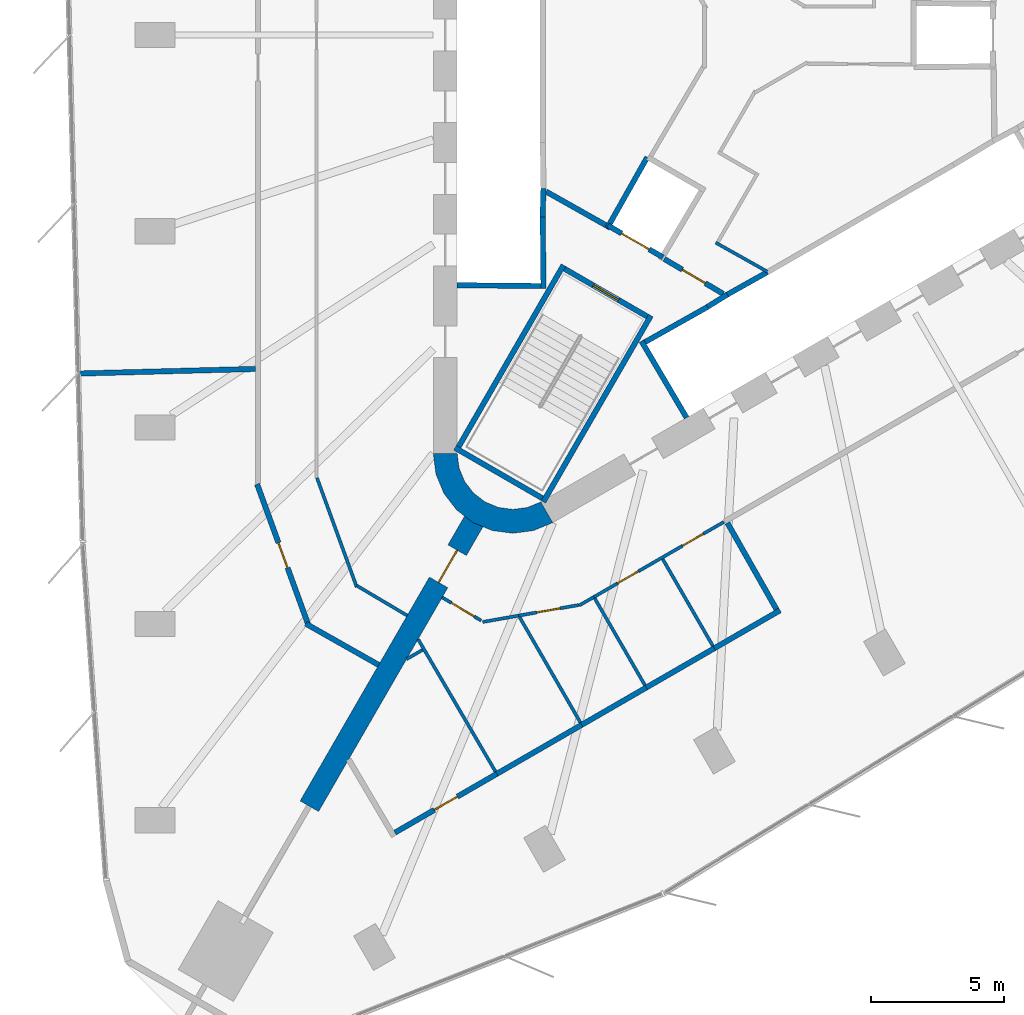
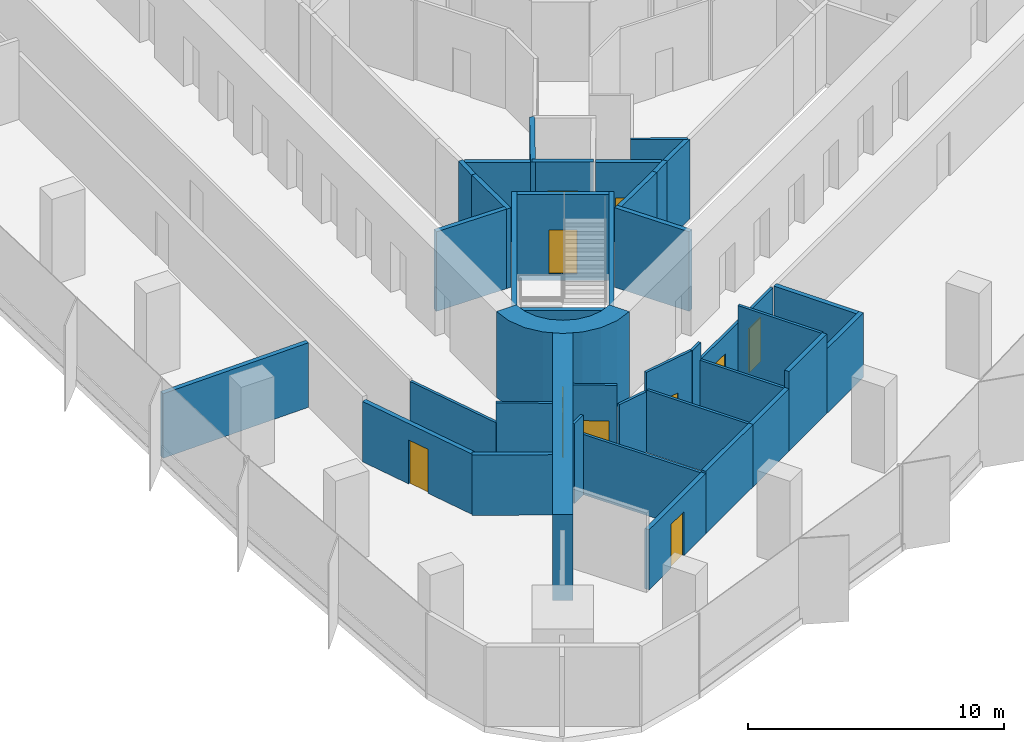
# One storey, part 8 of 14: 39 walls, 10 doors, 10 openings.
"""IFC4 building model written with IfcOpenShell, lengths in metres."""

from ifc_helpers import new_model, si_unit, direction, frame, frame_2d, origin, place, context, subcontext, project, spatial, polyline, rectangle, outline, extrude, material, layer, layer_set, type_object, element, fill, save


model = new_model("IFC4")

# Units and contexts
model_context = context("Model", 3, precision=1e-05, world=origin(), true_north=direction((0.0, 1.0)))
body_context = subcontext(model_context, "Body", "Model", "MODEL_VIEW")
ifc_project = project(units=[si_unit("LENGTHUNIT", "METRE"), si_unit("AREAUNIT", "SQUARE_METRE"), si_unit("VOLUMEUNIT", "CUBIC_METRE"), si_unit("PLANEANGLEUNIT", "RADIAN"), si_unit("MASSUNIT", "GRAM", prefix="KILO")], contexts=[model_context])

# Site, building, storey
site_placement = place(None, origin())
site = spatial("IfcSite", under=ifc_project, at=site_placement, CompositionType="ELEMENT")
building_placement = place(site_placement, origin())
building = spatial("IfcBuilding", under=site, at=building_placement, Name="Tanit Gate Tower", CompositionType="ELEMENT")
storey_placement = place(building_placement, frame((0.0, 0.0, 143.89990234375)))
storey = spatial("IfcBuildingStorey", under=building, at=storey_placement, Name="L31", CompositionType="ELEMENT", Elevation=143.89990234375)

# Wall, opening, door
ifc_material_1 = material(Name="Concrete C60/75", Category="concrete")
ifc_layer_1 = layer(ifc_material_1, 0.800048828125)
ifc_layer_set_1 = layer_set([ifc_layer_1], Name="BUTTRESS FIN 800 C60/75")
wall_type_1 = type_object("IfcWallType", Name="BUTTRESS FIN 800 C60/75", PredefinedType="SHEAR", material=ifc_layer_set_1)
wall_1_placement = place(storey_placement, frame((-10.574951171875, -18.31640625, 0.0), z_axis=(0.0, 0.0, 1.0), x_axis=(-0.500002326941, -0.86602406032, 0.0)))
wall_1 = element("IfcWall", 1, at=wall_1_placement, inside=storey, type_object=wall_type_1, Name="BUTTRESS FIN", PredefinedType="SHEAR", context=body_context, shape_type="SweptSolid", body=[
    extrude(rectangle(XDim=12.3837890625, YDim=0.800048828125, at=frame_2d((6.19189453125, 0.0))), origin(), (0.0, 0.0, 1.0), 4.10009765625),
])
opening_1_placement = place(wall_1_placement, frame((1.25, 0.0, 0.0)))
opening_1 = element("IfcOpeningElement", 2, at=opening_1_placement, cuts=wall_1, Name="Opening P14-S08-F-SW-1", PredefinedType="OPENING", context=body_context, shape_type="SweptSolid", body=[
    extrude(rectangle(XDim=1.39990234375, YDim=2.39990234375, at=frame_2d((0.699951171875, 1.199951171875))), frame((0.0, 0.41015625, 0.0), z_axis=(0.0, -1.0, 0.0), x_axis=(1.0, 0.0, 0.0)), (0.0, 0.0, 1.0), 0.820068359375),
])
ifc_material_2 = material(Name="Timber door leaf", Category="wood")
door_type_1 = type_object("IfcDoorType", Name="INT-DOOR-FIN-PAIR-1400", OperationType="NOTDEFINED", PredefinedType="NOTDEFINED", material=ifc_material_2)
door_1_placement = place(opening_1_placement, origin())
door_1 = element("IfcDoor", 3, at=door_1_placement, inside=storey, type_object=door_type_1, Name="Door P14-S08-F-SW-1", OperationType="DOUBLE_DOOR_SINGLE_SWING", OverallHeight=2.39990234375, OverallWidth=1.39990234375, PredefinedType="NOTDEFINED", context=body_context, shape_type="SweptSolid", body=[
    extrude(rectangle(XDim=1.39990234375, YDim=2.39990234375, at=frame_2d((0.699951171875, 1.199951171875))), frame((0.0, 0.02490234375, 0.0), z_axis=(0.0, -1.0, 0.0), x_axis=(1.0, 0.0, 0.0)), (0.0, 0.0, 1.0), 0.050048828125),
])
fill(opening_1, door_1)

# Walls
ifc_material_3 = material(Name="Concrete C60/75", Category="concrete")
ifc_layer_2 = layer(ifc_material_3, 0.89990234375)
ifc_layer_set_2 = layer_set([ifc_layer_2], Name="CORE WALL 900 C60/75")
wall_type_2 = type_object("IfcWallType", Name="CORE WALL 900 C60/75", PredefinedType="SHEAR", material=ifc_layer_set_2)
wall_2_placement = place(storey_placement, origin())
element("IfcWall", 4, at=wall_2_placement, inside=storey, type_object=wall_type_2, Name="CORE WALL CORNER", PredefinedType="SHEAR", context=body_context, shape_type="SweptSolid", body=[
    extrude(outline(polyline([(-12.10009765625, -15.76171875), (-11.997802734375, -16.5380859375), (-11.697998046875, -17.26171875), (-11.22119140625, -17.883056640625), (-10.60009765625, -18.359619140625), (-9.87646484375, -18.659423828125), (-9.10009765625, -18.76171875), (-8.323486328125, -18.659423828125), (-7.60009765625, -18.359619140625), (-8.050048828125, -17.580322265625), (-8.556396484375, -17.7900390625), (-9.10009765625, -17.86181640625), (-9.6435546875, -17.7900390625), (-10.14990234375, -17.580322265625), (-10.5849609375, -17.24658203125), (-10.918701171875, -16.811767578125), (-11.12841796875, -16.30517578125), (-11.199951171875, -15.76171875), (-12.10009765625, -15.76171875)])), origin(), (0.0, 0.0, 1.0), 4.10009765625),
])
ifc_material_4 = material(Name="Fire-rated gypsum board partition")
ifc_layer_3 = layer(ifc_material_4, 0.199951171875)
ifc_layer_set_3 = layer_set([ifc_layer_3], Name="INT-WALL-COMPARTMENT")
wall_type_3 = type_object("IfcWallType", Name="INT-WALL-COMPARTMENT", PredefinedType="PARTITIONING", material=ifc_layer_set_3)
wall_3_placement = place(storey_placement, frame((-7.84912109375, -5.893798828125, 0.0), z_axis=(0.0, 0.0, 1.0), x_axis=(0.871340486379, -0.490678873396, 0.0)))
element("IfcWall", 5, at=wall_3_placement, inside=storey, type_object=wall_type_3, Name="Wall Compartment W063", PredefinedType="PARTITIONING", context=body_context, shape_type="SweptSolid", body=[
    extrude(rectangle(XDim=2.580810546875, YDim=0.199951171875, at=frame_2d((1.29052734375, 0.0))), origin(), (0.0, 0.0, 1.0), 3.800048828125),
])

# Wall, opening, door
wall_4_placement = place(storey_placement, frame((-3.400634765625, -8.43017578125, 0.0), z_axis=(0.0, 0.0, 1.0), x_axis=(0.860598681535, -0.509283721849, 0.0)))
wall_4 = element("IfcWall", 6, at=wall_4_placement, inside=storey, type_object=wall_type_3, Name="Wall Compartment W064", PredefinedType="PARTITIONING", context=body_context, shape_type="SweptSolid", body=[
    extrude(rectangle(XDim=2.5810546875, YDim=0.199951171875, at=frame_2d((1.29052734375, 0.0))), origin(), (0.0, 0.0, 1.0), 3.800048828125),
])
opening_2_placement = place(wall_4_placement, frame((0.79052734375, 0.0, 0.0)))
opening_2 = element("IfcOpeningElement", 7, at=opening_2_placement, cuts=wall_4, Name="Opening F10-S08-08", PredefinedType="OPENING", context=body_context, shape_type="SweptSolid", body=[
    extrude(rectangle(XDim=1.0, YDim=2.10009765625, at=frame_2d((0.5, 1.050048828125))), frame((0.0, 0.10986328125, 0.0), z_axis=(0.0, -1.0, 0.0), x_axis=(1.0, 0.0, 0.0)), (0.0, 0.0, 1.0), 0.219970703125),
])
ifc_material_5 = material(Name="Fire-rated steel door leaf", Category="steel")
door_type_2 = type_object("IfcDoorType", Name="INT-DOOR-FIRE-1000", OperationType="NOTDEFINED", PredefinedType="USERDEFINED", material=ifc_material_5)
door_2_placement = place(opening_2_placement, origin())
door_2 = element("IfcDoor", 8, at=door_2_placement, inside=storey, type_object=door_type_2, Name="Door F10-S08-08", ObjectType="FIRE DOOR", OperationType="SINGLE_SWING_RIGHT", OverallHeight=2.10009765625, OverallWidth=1.0, PredefinedType="USERDEFINED", context=body_context, shape_type="SweptSolid", body=[
    extrude(rectangle(XDim=1.0, YDim=2.10009765625, at=frame_2d((0.5, 1.050048828125))), frame((0.0, 0.02490234375, 0.0), z_axis=(0.0, -1.0, 0.0), x_axis=(1.0, 0.0, 0.0)), (0.0, 0.0, 1.0), 0.050048828125),
])
fill(opening_2, door_2)

# Wall
wall_5_placement = place(storey_placement, frame((-16.902587890625, -22.16552734375, 0.0), z_axis=(0.0, 0.0, 1.0), x_axis=(0.870335069356, -0.492460015686, 0.0)))
element("IfcWall", 9, at=wall_5_placement, inside=storey, type_object=wall_type_3, Name="Wall Compartment W091", PredefinedType="PARTITIONING", context=body_context, shape_type="SweptSolid", body=[
    extrude(rectangle(XDim=3.155517578125, YDim=0.199951171875, at=frame_2d((1.57763671875, 0.0))), origin(), (0.0, 0.0, 1.0), 2.880126953125),
])

# Wall, opening, door
wall_6_placement = place(storey_placement, frame((-18.734130859375, -16.910888671875, 0.0), z_axis=(0.0, 0.0, 1.0), x_axis=(0.342022840992, -0.939691638911, 0.0)))
wall_6 = element("IfcWall", 10, at=wall_6_placement, inside=storey, type_object=wall_type_3, Name="Wall Compartment W092", PredefinedType="PARTITIONING", context=body_context, shape_type="SweptSolid", body=[
    extrude(rectangle(XDim=5.60498046875, YDim=0.199951171875, at=frame_2d((2.802490234375, 0.0))), origin(), (0.0, 0.0, 1.0), 2.880126953125),
])
opening_3_placement = place(wall_6_placement, frame((2.352294921875, 0.0, 0.0)))
opening_3 = element("IfcOpeningElement", 11, at=opening_3_placement, cuts=wall_6, Name="Opening F10-S08-25", PredefinedType="OPENING", context=body_context, shape_type="SweptSolid", body=[
    extrude(rectangle(XDim=1.0, YDim=2.10009765625, at=frame_2d((0.5, 1.050048828125))), frame((0.0, 0.10986328125, 0.0), z_axis=(0.0, -1.0, 0.0), x_axis=(1.0, 0.0, 0.0)), (0.0, 0.0, 1.0), 0.219970703125),
])
door_3_placement = place(opening_3_placement, origin())
door_3 = element("IfcDoor", 12, at=door_3_placement, inside=storey, type_object=door_type_2, Name="Door F10-S08-25", ObjectType="FIRE DOOR", OperationType="SINGLE_SWING_RIGHT", OverallHeight=2.10009765625, OverallWidth=1.0, PredefinedType="USERDEFINED", context=body_context, shape_type="SweptSolid", body=[
    extrude(rectangle(XDim=1.0, YDim=2.10009765625, at=frame_2d((0.5, 1.050048828125))), frame((0.0, 0.02490234375, 0.0), z_axis=(0.0, -1.0, 0.0), x_axis=(1.0, 0.0, 0.0)), (0.0, 0.0, 1.0), 0.050048828125),
])
fill(opening_3, door_3)

# Walls
wall_7_placement = place(storey_placement, frame((-25.456787109375, -12.74609375, 0.0), z_axis=(0.0, 0.0, 1.0), x_axis=(0.999663993994, 0.025921016788, 0.0)))
element("IfcWall", 13, at=wall_7_placement, inside=storey, type_object=wall_type_3, Name="Wall Compartment W115", PredefinedType="PARTITIONING", context=body_context, shape_type="SweptSolid", body=[
    extrude(rectangle(XDim=6.658935546875, YDim=0.199951171875, at=frame_2d((3.32958984375, 0.0))), origin(), (0.0, 0.0, 1.0), 3.080078125),
])
wall_8_placement = place(storey_placement, frame((0.959716796875, -21.662353515625, 0.0), z_axis=(0.0, 0.0, 1.0), x_axis=(-0.866040716581, -0.499973476521, 0.0)))
element("IfcWall", 14, at=wall_8_placement, inside=storey, type_object=wall_type_3, Name="Wall Compartment W130", PredefinedType="PARTITIONING", context=body_context, shape_type="SweptSolid", body=[
    extrude(rectangle(XDim=2.862548828125, YDim=0.199951171875, at=frame_2d((1.43115234375, 0.0))), origin(), (0.0, 0.0, 1.0), 3.080078125),
])
wall_9_placement = place(storey_placement, frame((-1.519287109375, -23.093505859375, 0.0), z_axis=(0.0, 0.0, 1.0), x_axis=(-0.865987495984, -0.500065652488, 0.0)))
element("IfcWall", 15, at=wall_9_placement, inside=storey, type_object=wall_type_3, Name="Wall Compartment W132", PredefinedType="PARTITIONING", context=body_context, shape_type="SweptSolid", body=[
    extrude(rectangle(XDim=2.95556640625, YDim=0.199951171875, at=frame_2d((1.477783203125, 0.0))), origin(), (0.0, 0.0, 1.0), 3.800048828125),
])
wall_10_placement = place(storey_placement, frame((-4.078857421875, -24.571533203125, 0.0), z_axis=(0.0, 0.0, 1.0), x_axis=(-0.8660392398, -0.499976034552, 0.0)))
element("IfcWall", 16, at=wall_10_placement, inside=storey, type_object=wall_type_3, Name="Wall Compartment W133", PredefinedType="PARTITIONING", context=body_context, shape_type="SweptSolid", body=[
    extrude(rectangle(XDim=2.805908203125, YDim=0.199951171875, at=frame_2d((1.40283203125, 0.0))), origin(), (0.0, 0.0, 1.0), 2.97998046875),
])
wall_11_placement = place(storey_placement, frame((-6.5087890625, -25.974365234375, 0.0), z_axis=(0.0, 0.0, 1.0), x_axis=(-0.86602156466, -0.500006649499, 0.0)))
element("IfcWall", 17, at=wall_11_placement, inside=storey, type_object=wall_type_3, Name="Wall Compartment W134", PredefinedType="PARTITIONING", context=body_context, shape_type="SweptSolid", body=[
    extrude(rectangle(XDim=3.693359375, YDim=0.199951171875, at=frame_2d((1.8466796875, 0.0))), origin(), (0.0, 0.0, 1.0), 2.97998046875),
])

# Wall, opening, door
wall_12_placement = place(storey_placement, frame((-9.707275390625, -27.821044921875, 0.0), z_axis=(0.0, 0.0, 1.0), x_axis=(-0.866031500321, -0.49998944034, 0.0)))
wall_12 = element("IfcWall", 18, at=wall_12_placement, inside=storey, type_object=wall_type_3, Name="Wall Compartment W136", PredefinedType="PARTITIONING", context=body_context, shape_type="SweptSolid", body=[
    extrude(rectangle(XDim=4.4326171875, YDim=0.199951171875, at=frame_2d((2.21630859375, 0.0))), origin(), (0.0, 0.0, 1.0), 2.880126953125),
])
opening_4_placement = place(wall_12_placement, frame((1.71630859375, 0.0, 0.0)))
opening_4 = element("IfcOpeningElement", 19, at=opening_4_placement, cuts=wall_12, Name="Opening F10-S08-24", PredefinedType="OPENING", context=body_context, shape_type="SweptSolid", body=[
    extrude(rectangle(XDim=1.0, YDim=2.10009765625, at=frame_2d((0.5, 1.050048828125))), frame((0.0, 0.10986328125, 0.0), z_axis=(0.0, -1.0, 0.0), x_axis=(1.0, 0.0, 0.0)), (0.0, 0.0, 1.0), 0.219970703125),
])
door_4_placement = place(opening_4_placement, origin())
door_4 = element("IfcDoor", 20, at=door_4_placement, inside=storey, type_object=door_type_2, Name="Door F10-S08-24", ObjectType="FIRE DOOR", OperationType="SINGLE_SWING_LEFT", OverallHeight=2.10009765625, OverallWidth=1.0, PredefinedType="USERDEFINED", context=body_context, shape_type="SweptSolid", body=[
    extrude(rectangle(XDim=1.0, YDim=2.10009765625, at=frame_2d((0.5, 1.050048828125))), frame((0.0, 0.02490234375, 0.0), z_axis=(0.0, -1.0, 0.0), x_axis=(1.0, 0.0, 0.0)), (0.0, 0.0, 1.0), 0.050048828125),
])
fill(opening_4, door_4)

# Walls
wall_13_placement = place(storey_placement, frame((-1.021484375, -18.3720703125, 0.0), z_axis=(0.0, 0.0, 1.0), x_axis=(0.493366643235, -0.869821450266, 0.0)))
element("IfcWall", 21, at=wall_13_placement, inside=storey, type_object=wall_type_3, Name="Wall Compartment W131", PredefinedType="PARTITIONING", context=body_context, shape_type="SweptSolid", body=[
    extrude(rectangle(XDim=3.739990234375, YDim=0.199951171875, at=frame_2d((1.8701171875, 0.0))), origin(), (0.0, 0.0, 1.0), 3.080078125),
])
ifc_material_6 = material(Name="Gypsum board partition")
ifc_layer_4 = layer(ifc_material_6, 0.1201171875)
ifc_layer_set_4 = layer_set([ifc_layer_4], Name="INT-WALL-PARTITION")
wall_type_4 = type_object("IfcWallType", Name="INT-WALL-PARTITION", PredefinedType="PARTITIONING", material=ifc_layer_set_4)
wall_14_placement = place(storey_placement, frame((-1.464111328125, -7.81591796875, 0.0), z_axis=(0.0, 0.0, 1.0), x_axis=(0.871880202732, -0.489719217597, 0.0)))
element("IfcWall", 22, at=wall_14_placement, inside=storey, type_object=wall_type_4, Name="Wall Partition W068", PredefinedType="PARTITIONING", context=body_context, shape_type="SweptSolid", body=[
    extrude(rectangle(XDim=2.224365234375, YDim=0.1201171875, at=frame_2d((1.1123046875, 0.0))), origin(), (0.0, 0.0, 1.0), 3.800048828125),
])
wall_15_placement = place(storey_placement, frame((-16.4794921875, -16.67333984375, 0.0), z_axis=(0.0, 0.0, 1.0), x_axis=(0.342025144217, -0.939690800595, 0.0)))
element("IfcWall", 23, at=wall_15_placement, inside=storey, type_object=wall_type_4, Name="Wall Partition W089", PredefinedType="PARTITIONING", context=body_context, shape_type="SweptSolid", body=[
    extrude(rectangle(XDim=4.377685546875, YDim=0.1201171875, at=frame_2d((2.18896484375, 0.0))), origin(), (0.0, 0.0, 1.0), 2.880126953125),
])
wall_16_placement = place(storey_placement, frame((-14.9833984375, -20.732421875, 0.0), z_axis=(0.0, 0.0, 1.0), x_axis=(0.860268204019, -0.509841756973, 0.0)))
element("IfcWall", 24, at=wall_16_placement, inside=storey, type_object=wall_type_4, Name="Wall Partition W090", PredefinedType="PARTITIONING", context=body_context, shape_type="SweptSolid", body=[
    extrude(rectangle(XDim=2.2099609375, YDim=0.1201171875, at=frame_2d((1.10498046875, 0.0))), origin(), (0.0, 0.0, 1.0), 3.800048828125),
])
wall_17_placement = place(storey_placement, frame((-6.609375, -21.48291015625, 0.0), z_axis=(0.0, 0.0, 1.0), x_axis=(0.865865073245, 0.500277597875, 0.0)))
element("IfcWall", 25, at=wall_17_placement, inside=storey, type_object=wall_type_4, Name="Wall Partition W111", PredefinedType="PARTITIONING", context=body_context, shape_type="SweptSolid", body=[
    extrude(rectangle(XDim=0.647216796875, YDim=0.1201171875, at=frame_2d((0.32373046875, 0.0))), origin(), (0.0, 0.0, 1.0), 3.800048828125),
])

# Wall, openings, doors
wall_18_placement = place(storey_placement, frame((-6.049072265625, -21.1591796875, 0.0), z_axis=(0.0, 0.0, 1.0), x_axis=(0.866040189422, 0.499974389651, 0.0)))
wall_18 = element("IfcWall", 26, at=wall_18_placement, inside=storey, type_object=wall_type_4, Name="Wall Partition W110", PredefinedType="PARTITIONING", context=body_context, shape_type="SweptSolid", body=[
    extrude(rectangle(XDim=5.648193359375, YDim=0.1201171875, at=frame_2d((2.82421875, 0.0))), origin(), (0.0, 0.0, 1.0), 2.97998046875),
])
opening_5_placement = place(wall_18_placement, frame((3.85205078125, 0.0, 0.0)))
opening_5 = element("IfcOpeningElement", 27, at=opening_5_placement, cuts=wall_18, Name="Opening D09-S08-20", PredefinedType="OPENING", context=body_context, shape_type="SweptSolid", body=[
    extrude(rectangle(XDim=0.89990234375, YDim=2.10009765625, at=frame_2d((0.449951171875, 1.050048828125))), frame((0.0, 0.070068359375, 0.0), z_axis=(0.0, -1.0, 0.0), x_axis=(1.0, 0.0, 0.0)), (0.0, 0.0, 1.0), 0.14013671875),
])
opening_6_placement = place(wall_18_placement, frame((1.02783203125, 0.0, 0.0)))
opening_6 = element("IfcOpeningElement", 28, at=opening_6_placement, cuts=wall_18, Name="Opening D09-S08-21", PredefinedType="OPENING", context=body_context, shape_type="SweptSolid", body=[
    extrude(rectangle(XDim=0.89990234375, YDim=2.10009765625, at=frame_2d((0.449951171875, 1.050048828125))), frame((0.0, 0.070068359375, 0.0), z_axis=(0.0, -1.0, 0.0), x_axis=(1.0, 0.0, 0.0)), (0.0, 0.0, 1.0), 0.14013671875),
])
ifc_material_7 = material(Name="Timber door leaf", Category="wood")
door_type_3 = type_object("IfcDoorType", Name="INT-DOOR-SINGLE-900", OperationType="NOTDEFINED", PredefinedType="NOTDEFINED", material=ifc_material_7)
door_5_placement = place(opening_5_placement, origin())
door_5 = element("IfcDoor", 29, at=door_5_placement, inside=storey, type_object=door_type_3, Name="Door D09-S08-20", OperationType="SINGLE_SWING_LEFT", OverallHeight=2.10009765625, OverallWidth=0.89990234375, PredefinedType="NOTDEFINED", context=body_context, shape_type="SweptSolid", body=[
    extrude(rectangle(XDim=0.89990234375, YDim=2.10009765625, at=frame_2d((0.449951171875, 1.050048828125))), frame((0.0, 0.02490234375, 0.0), z_axis=(0.0, -1.0, 0.0), x_axis=(1.0, 0.0, 0.0)), (0.0, 0.0, 1.0), 0.050048828125),
])
fill(opening_5, door_5)
door_6_placement = place(opening_6_placement, origin())
door_6 = element("IfcDoor", 30, at=door_6_placement, inside=storey, type_object=door_type_3, Name="Door D09-S08-21", OperationType="SINGLE_SWING_RIGHT", OverallHeight=2.10009765625, OverallWidth=0.89990234375, PredefinedType="NOTDEFINED", context=body_context, shape_type="SweptSolid", body=[
    extrude(rectangle(XDim=0.89990234375, YDim=2.10009765625, at=frame_2d((0.449951171875, 1.050048828125))), frame((0.0, 0.02490234375, 0.0), z_axis=(0.0, -1.0, 0.0), x_axis=(1.0, 0.0, 0.0)), (0.0, 0.0, 1.0), 0.050048828125),
])
fill(opening_6, door_6)

# Wall
wall_19_placement = place(storey_placement, frame((-10.2392578125, -22.10205078125, 0.0), z_axis=(0.0, 0.0, 1.0), x_axis=(0.984801523662, 0.173683502361, 0.0)))
element("IfcWall", 31, at=wall_19_placement, inside=storey, type_object=wall_type_4, Name="Wall Partition W113", PredefinedType="PARTITIONING", context=body_context, shape_type="SweptSolid", body=[
    extrude(rectangle(XDim=1.36767578125, YDim=0.1201171875, at=frame_2d((0.683837890625, 0.0))), origin(), (0.0, 0.0, 1.0), 2.880126953125),
])

# Wall, opening, door
wall_20_placement = place(storey_placement, frame((-8.892333984375, -21.864501953125, 0.0), z_axis=(0.0, 0.0, 1.0), x_axis=(0.984802696179, 0.17367685395, 0.0)))
wall_20 = element("IfcWall", 32, at=wall_20_placement, inside=storey, type_object=wall_type_4, Name="Wall Partition W112", PredefinedType="PARTITIONING", context=body_context, shape_type="SweptSolid", body=[
    extrude(rectangle(XDim=2.31103515625, YDim=0.1201171875, at=frame_2d((1.155517578125, 0.0))), origin(), (0.0, 0.0, 1.0), 3.800048828125),
])
opening_7_placement = place(wall_20_placement, frame((0.70556640625, 0.0, 0.0)))
opening_7 = element("IfcOpeningElement", 33, at=opening_7_placement, cuts=wall_20, Name="Opening D09-S08-22", PredefinedType="OPENING", context=body_context, shape_type="SweptSolid", body=[
    extrude(rectangle(XDim=0.89990234375, YDim=2.10009765625, at=frame_2d((0.449951171875, 1.050048828125))), frame((0.0, 0.070068359375, 0.0), z_axis=(0.0, -1.0, 0.0), x_axis=(1.0, 0.0, 0.0)), (0.0, 0.0, 1.0), 0.14013671875),
])
door_7_placement = place(opening_7_placement, origin())
door_7 = element("IfcDoor", 34, at=door_7_placement, inside=storey, type_object=door_type_3, Name="Door D09-S08-22", OperationType="SINGLE_SWING_LEFT", OverallHeight=2.10009765625, OverallWidth=0.89990234375, PredefinedType="NOTDEFINED", context=body_context, shape_type="SweptSolid", body=[
    extrude(rectangle(XDim=0.89990234375, YDim=2.10009765625, at=frame_2d((0.449951171875, 1.050048828125))), frame((0.0, 0.02490234375, 0.0), z_axis=(0.0, -1.0, 0.0), x_axis=(1.0, 0.0, 0.0)), (0.0, 0.0, 1.0), 0.050048828125),
])
fill(opening_7, door_7)

wall_21_placement = place(storey_placement, frame((-11.764404296875, -21.176513671875, 0.0), z_axis=(0.0, 0.0, 1.0), x_axis=(0.859089516353, -0.511825363667, 0.0)))
wall_21 = element("IfcWall", 35, at=wall_21_placement, inside=storey, type_object=wall_type_4, Name="Wall Partition W114", PredefinedType="PARTITIONING", context=body_context, shape_type="SweptSolid", body=[
    extrude(rectangle(XDim=1.708984375, YDim=0.1201171875, at=frame_2d((0.8544921875, 0.0))), origin(), (0.0, 0.0, 1.0), 3.800048828125),
])
opening_8_placement = place(wall_21_placement, frame((0.404541015625, 0.0, 0.0)))
opening_8 = element("IfcOpeningElement", 36, at=opening_8_placement, cuts=wall_21, Name="Opening D10-S08-23", PredefinedType="OPENING", context=body_context, shape_type="SweptSolid", body=[
    extrude(rectangle(XDim=1.0, YDim=2.10009765625, at=frame_2d((0.5, 1.050048828125))), frame((0.0, 0.070068359375, 0.0), z_axis=(0.0, -1.0, 0.0), x_axis=(1.0, 0.0, 0.0)), (0.0, 0.0, 1.0), 0.14013671875),
])
ifc_material_8 = material(Name="Timber door leaf", Category="wood")
door_type_4 = type_object("IfcDoorType", Name="INT-DOOR-SINGLE-1000", OperationType="NOTDEFINED", PredefinedType="NOTDEFINED", material=ifc_material_8)
door_8_placement = place(opening_8_placement, origin())
door_8 = element("IfcDoor", 37, at=door_8_placement, inside=storey, type_object=door_type_4, Name="Door D10-S08-23", OperationType="SINGLE_SWING_LEFT", OverallHeight=2.10009765625, OverallWidth=1.0, PredefinedType="NOTDEFINED", context=body_context, shape_type="SweptSolid", body=[
    extrude(rectangle(XDim=1.0, YDim=2.10009765625, at=frame_2d((0.5, 1.050048828125))), frame((0.0, 0.02490234375, 0.0), z_axis=(0.0, -1.0, 0.0), x_axis=(1.0, 0.0, 0.0)), (0.0, 0.0, 1.0), 0.050048828125),
])
fill(opening_8, door_8)

# Walls
wall_22_placement = place(storey_placement, frame((-1.5693359375, -23.007080078125, 0.0), z_axis=(0.0, 0.0, 1.0), x_axis=(-0.499966587594, 0.866044693586, 0.0)))
element("IfcWall", 38, at=wall_22_placement, inside=storey, type_object=wall_type_4, Name="Wall Partition W140", PredefinedType="PARTITIONING", context=body_context, shape_type="SweptSolid", body=[
    extrude(rectangle(XDim=3.780029296875, YDim=0.1201171875, at=frame_2d((1.89013671875, 0.0))), origin(), (0.0, 0.0, 1.0), 3.800048828125),
])
wall_23_placement = place(storey_placement, frame((-4.12890625, -24.48486328125, 0.0), z_axis=(0.0, 0.0, 1.0), x_axis=(-0.500015027522, 0.866016727467, 0.0)))
element("IfcWall", 39, at=wall_23_placement, inside=storey, type_object=wall_type_4, Name="Wall Partition W141", PredefinedType="PARTITIONING", context=body_context, shape_type="SweptSolid", body=[
    extrude(rectangle(XDim=3.7802734375, YDim=0.1201171875, at=frame_2d((1.89013671875, 0.0))), origin(), (0.0, 0.0, 1.0), 2.97998046875),
])
wall_24_placement = place(storey_placement, frame((-6.558837890625, -25.8876953125, 0.0), z_axis=(0.0, 0.0, 1.0), x_axis=(-0.499994486038, 0.866028587248, 0.0)))
element("IfcWall", 40, at=wall_24_placement, inside=storey, type_object=wall_type_4, Name="Wall Partition W142", PredefinedType="PARTITIONING", context=body_context, shape_type="SweptSolid", body=[
    extrude(rectangle(XDim=4.58349609375, YDim=0.1201171875, at=frame_2d((2.291748046875, 0.0))), origin(), (0.0, 0.0, 1.0), 2.97998046875),
])
wall_25_placement = place(storey_placement, frame((-12.672607421875, -22.74951171875, 0.0), z_axis=(0.0, 0.0, 1.0), x_axis=(0.504751362892, -0.863264769152, 0.0)))
element("IfcWall", 41, at=wall_25_placement, inside=storey, type_object=wall_type_4, Name="Wall Partition W143", PredefinedType="PARTITIONING", context=body_context, shape_type="SweptSolid", body=[
    extrude(rectangle(XDim=5.774658203125, YDim=0.1201171875, at=frame_2d((2.88720703125, 0.0))), origin(), (0.0, 0.0, 1.0), 2.880126953125),
])
wall_26_placement = place(storey_placement, frame((-12.505126953125, -23.15478515625, 0.0), z_axis=(0.0, 0.0, 1.0), x_axis=(-0.866138803259, -0.49980353489, 0.0)))
element("IfcWall", 42, at=wall_26_placement, inside=storey, type_object=wall_type_4, Name="Wall Partition W144", PredefinedType="PARTITIONING", context=body_context, shape_type="SweptSolid", body=[
    extrude(rectangle(XDim=0.695068359375, YDim=0.1201171875, at=frame_2d((0.34765625, 0.0))), origin(), (0.0, 0.0, 1.0), 3.800048828125),
])
ifc_material_9 = material(Name="Gypsum shaft wall system")
ifc_layer_5 = layer(ifc_material_9, 0.199951171875)
ifc_layer_set_5 = layer_set([ifc_layer_5], Name="INT-WALL-SHAFT")
wall_type_5 = type_object("IfcWallType", Name="INT-WALL-SHAFT", PredefinedType="PLUMBINGWALL", material=ifc_layer_set_5)
wall_27_placement = place(storey_placement, frame((-7.949951171875, -5.7724609375, 0.0), z_axis=(0.0, 0.0, 1.0), x_axis=(-0.030803413295, -0.999525462272, 0.0)))
element("IfcWall", 43, at=wall_27_placement, inside=storey, type_object=wall_type_5, Name="Wall Shaft W009", PredefinedType="PLUMBINGWALL", context=body_context, shape_type="SweptSolid", body=[
    extrude(rectangle(XDim=1.077880859375, YDim=0.199951171875, at=frame_2d((0.5390625, 0.0))), origin(), (0.0, 0.0, 1.0), 3.800048828125),
])
wall_28_placement = place(storey_placement, frame((-7.97900390625, -6.85009765625, 0.0), z_axis=(0.0, 0.0, 1.0), x_axis=(0.011121475088, -0.999938154483, 0.0)))
element("IfcWall", 44, at=wall_28_placement, inside=storey, type_object=wall_type_5, Name="Wall Shaft W011", PredefinedType="PLUMBINGWALL", context=body_context, shape_type="SweptSolid", body=[
    extrude(rectangle(XDim=2.7001953125, YDim=0.199951171875, at=frame_2d((1.35009765625, 0.0))), origin(), (0.0, 0.0, 1.0), 3.800048828125),
])
wall_29_placement = place(storey_placement, frame((-8.050048828125, -9.448974609375, 0.0), z_axis=(0.0, 0.0, 1.0), x_axis=(-0.999957467379, 0.009222983926, 0.0)))
element("IfcWall", 45, at=wall_29_placement, inside=storey, type_object=wall_type_5, Name="Wall Shaft W012", PredefinedType="PLUMBINGWALL", context=body_context, shape_type="SweptSolid", body=[
    extrude(rectangle(XDim=3.150146484375, YDim=0.199951171875, at=frame_2d((1.5751953125, 0.0))), origin(), (0.0, 0.0, 1.0), 3.800048828125),
])
wall_30_placement = place(storey_placement, frame((-2.557861328125, -14.409423828125, 0.0), z_axis=(0.0, 0.0, 1.0), x_axis=(-0.507997497166, 0.861358544901, 0.0)))
element("IfcWall", 46, at=wall_30_placement, inside=storey, type_object=wall_type_5, Name="Wall Shaft W027", PredefinedType="PLUMBINGWALL", context=body_context, shape_type="SweptSolid", body=[
    extrude(rectangle(XDim=3.350341796875, YDim=0.199951171875, at=frame_2d((1.67529296875, 0.0))), origin(), (0.0, 0.0, 1.0), 3.800048828125),
])
wall_31_placement = place(storey_placement, frame((-1.7685546875, -10.23681640625, 0.0), z_axis=(0.0, 0.0, 1.0), x_axis=(-0.871534483978, -0.490334215854, 0.0)))
element("IfcWall", 47, at=wall_31_placement, inside=storey, type_object=wall_type_5, Name="Wall Shaft W028", PredefinedType="PLUMBINGWALL", context=body_context, shape_type="SweptSolid", body=[
    extrude(rectangle(XDim=2.7001953125, YDim=0.199951171875, at=frame_2d((1.35009765625, 0.0))), origin(), (0.0, 0.0, 1.0), 3.800048828125),
])
wall_32_placement = place(storey_placement, frame((-1.02392578125, -9.77099609375, 0.0), z_axis=(0.0, 0.0, 1.0), x_axis=(-0.850348075135, -0.526220629693, 0.0)))
element("IfcWall", 48, at=wall_32_placement, inside=storey, type_object=wall_type_5, Name="Wall Shaft W029", PredefinedType="PLUMBINGWALL", context=body_context, shape_type="SweptSolid", body=[
    extrude(rectangle(XDim=0.878173828125, YDim=0.199951171875, at=frame_2d((0.43896484375, 0.0))), origin(), (0.0, 0.0, 1.0), 3.800048828125),
])
wall_33_placement = place(storey_placement, frame((-1.13037109375, -9.83154296875, 0.0), z_axis=(0.0, 0.0, 1.0), x_axis=(0.871988740738, 0.489525929882, 0.0)))
element("IfcWall", 49, at=wall_33_placement, inside=storey, type_object=wall_type_5, Name="Wall Shaft W030", PredefinedType="PLUMBINGWALL", context=body_context, shape_type="SweptSolid", body=[
    extrude(rectangle(XDim=1.8447265625, YDim=0.199951171875, at=frame_2d((0.92236328125, 0.0))), origin(), (0.0, 0.0, 1.0), 3.800048828125),
])

# Wall, opening, door
wall_34_placement = place(storey_placement, frame((-3.44580078125, -8.3681640625, 0.0), z_axis=(0.0, 0.0, 1.0), x_axis=(-0.866024647952, 0.500001309137, 0.0)))
wall_34 = element("IfcWall", 50, at=wall_34_placement, inside=storey, type_object=wall_type_5, Name="Wall Shaft W053", PredefinedType="PLUMBINGWALL", context=body_context, shape_type="SweptSolid", body=[
    extrude(rectangle(XDim=2.39990234375, YDim=0.199951171875, at=frame_2d((1.199951171875, 0.0))), origin(), (0.0, 0.0, 1.0), 3.800048828125),
])
opening_9_placement = place(wall_34_placement, frame((0.60009765625, 0.0, 0.0)))
opening_9 = element("IfcOpeningElement", 51, at=opening_9_placement, cuts=wall_34, Name="Opening LDFL3-L31", PredefinedType="OPENING", context=body_context, shape_type="SweptSolid", body=[
    extrude(rectangle(XDim=1.199951171875, YDim=2.39990234375, at=frame_2d((0.60009765625, 1.199951171875))), frame((0.0, 0.10986328125, 0.0), z_axis=(0.0, -1.0, 0.0), x_axis=(1.0, 0.0, 0.0)), (0.0, 0.0, 1.0), 0.219970703125),
])
ifc_material_10 = material(Name="Stainless steel sliding door leaf", Category="steel")
door_type_5 = type_object("IfcDoorType", Name="INT-DOOR-LANDING-1200", OperationType="NOTDEFINED", PredefinedType="USERDEFINED", material=ifc_material_10)
door_9_placement = place(opening_9_placement, origin())
door_9 = element("IfcDoor", 52, at=door_9_placement, inside=storey, type_object=door_type_5, Name="Door LDFL3-L31", ObjectType="LANDING DOOR", OperationType="SLIDING_TO_LEFT", OverallHeight=2.39990234375, OverallWidth=1.199951171875, PredefinedType="USERDEFINED", context=body_context, shape_type="SweptSolid", body=[
    extrude(rectangle(XDim=1.199951171875, YDim=2.39990234375, at=frame_2d((0.60009765625, 1.199951171875))), frame((0.0, 0.02490234375, 0.0), z_axis=(0.0, -1.0, 0.0), x_axis=(1.0, 0.0, 0.0)), (0.0, 0.0, 1.0), 0.050048828125),
])
fill(opening_9, door_9)

# Walls
wall_35_placement = place(storey_placement, frame((-5.5625, -7.29638671875, 0.0), z_axis=(0.0, 0.0, 1.0), x_axis=(0.491322718731, 0.870977603649, 0.0)))
element("IfcWall", 53, at=wall_35_placement, inside=storey, type_object=wall_type_5, Name="Wall Shaft W054", PredefinedType="PLUMBINGWALL", context=body_context, shape_type="SweptSolid", body=[
    extrude(rectangle(XDim=3.10009765625, YDim=0.199951171875, at=frame_2d((1.550048828125, 0.0))), origin(), (0.0, 0.0, 1.0), 3.800048828125),
])
ifc_material_11 = material(Name="Concrete C40/50", Category="concrete")
ifc_layer_6 = layer(ifc_material_11, 0.199951171875)
ifc_layer_set_6 = layer_set([ifc_layer_6], Name="INT-WALL-STAIR")
wall_type_6 = type_object("IfcWallType", Name="INT-WALL-STAIR", PredefinedType="SHEAR", material=ifc_layer_set_6)
wall_36_placement = place(storey_placement, frame((-3.904541015625, -10.56298828125, -0.2998046875), z_axis=(0.0, 0.0, 1.0), x_axis=(-0.500012932018, -0.866017937352, 0.0)))
element("IfcWall", 54, at=wall_36_placement, inside=storey, type_object=wall_type_6, Name="Wall Stair W049", PredefinedType="SHEAR", context=body_context, shape_type="SweptSolid", body=[
    extrude(rectangle(XDim=8.099853515625, YDim=0.199951171875, at=frame_2d((4.0498046875, 0.0))), origin(), (0.0, 0.0, 1.0), 4.099853515625),
])
wall_37_placement = place(storey_placement, frame((-11.281982421875, -15.541015625, -0.2998046875), z_axis=(0.0, 0.0, 1.0), x_axis=(0.866000483506, -0.500043160704, 0.0)))
element("IfcWall", 55, at=wall_37_placement, inside=storey, type_object=wall_type_6, Name="Wall Stair W050", PredefinedType="SHEAR", context=body_context, shape_type="SweptSolid", body=[
    extrude(rectangle(XDim=3.800048828125, YDim=0.199951171875, at=frame_2d((1.89990234375, 0.0))), origin(), (0.0, 0.0, 1.0), 4.099853515625),
])
wall_38_placement = place(storey_placement, frame((-7.195556640625, -8.662841796875, -0.2998046875), z_axis=(0.0, 0.0, 1.0), x_axis=(-0.499997992926, -0.866026562566, 0.0)))
element("IfcWall", 56, at=wall_38_placement, inside=storey, type_object=wall_type_6, Name="Wall Stair W051", PredefinedType="SHEAR", context=body_context, shape_type="SweptSolid", body=[
    extrude(rectangle(XDim=7.89990234375, YDim=0.199951171875, at=frame_2d((3.949951171875, 0.0))), origin(), (0.0, 0.0, 1.0), 4.099853515625),
])

# Wall, opening, door
wall_39_placement = place(storey_placement, frame((-4.041259765625, -10.599365234375, -0.2998046875), z_axis=(0.0, 0.0, 1.0), x_axis=(-0.866047807691, 0.499961193289, 0.0)))
wall_39 = element("IfcWall", 57, at=wall_39_placement, inside=storey, type_object=wall_type_6, Name="Wall Stair W052", PredefinedType="SHEAR", context=body_context, shape_type="SweptSolid", body=[
    extrude(rectangle(XDim=3.599853515625, YDim=0.199951171875, at=frame_2d((1.7998046875, 0.0))), origin(), (0.0, 0.0, 1.0), 4.099853515625),
])
opening_10_placement = place(wall_39_placement, frame((1.25, 0.0, 0.300048828125)))
opening_10 = element("IfcOpeningElement", 58, at=opening_10_placement, cuts=wall_39, Name="Opening S11-S08-07", PredefinedType="OPENING", context=body_context, shape_type="SweptSolid", body=[
    extrude(rectangle(XDim=1.10009765625, YDim=2.10009765625, at=frame_2d((0.550048828125, 1.050048828125))), frame((0.0, 0.10986328125, 0.0), z_axis=(0.0, -1.0, 0.0), x_axis=(1.0, 0.0, 0.0)), (0.0, 0.0, 1.0), 0.219970703125),
])
ifc_material_12 = material(Name="Timber door leaf", Category="wood")
door_type_6 = type_object("IfcDoorType", Name="INT-DOOR-STAIR-1100", OperationType="NOTDEFINED", PredefinedType="USERDEFINED", material=ifc_material_12)
door_10_placement = place(opening_10_placement, origin())
door_10 = element("IfcDoor", 59, at=door_10_placement, inside=storey, type_object=door_type_6, Name="Door S11-S08-07", ObjectType="FIRE DOOR", OperationType="SINGLE_SWING_RIGHT", OverallHeight=2.10009765625, OverallWidth=1.10009765625, PredefinedType="USERDEFINED", context=body_context, shape_type="SweptSolid", body=[
    extrude(rectangle(XDim=1.10009765625, YDim=2.10009765625, at=frame_2d((0.550048828125, 1.050048828125))), frame((0.0, 0.02490234375, 0.0), z_axis=(0.0, -1.0, 0.0), x_axis=(1.0, 0.0, 0.0)), (0.0, 0.0, 1.0), 0.050048828125),
])
fill(opening_10, door_10)

save(model, "model.ifc")
